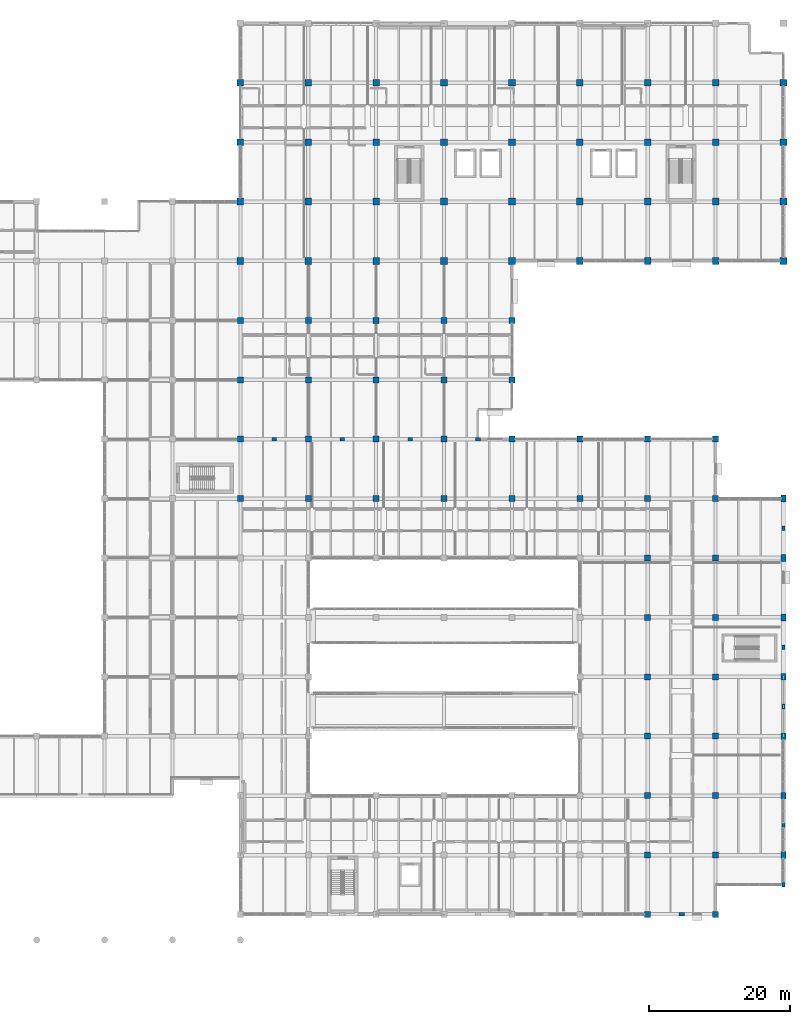
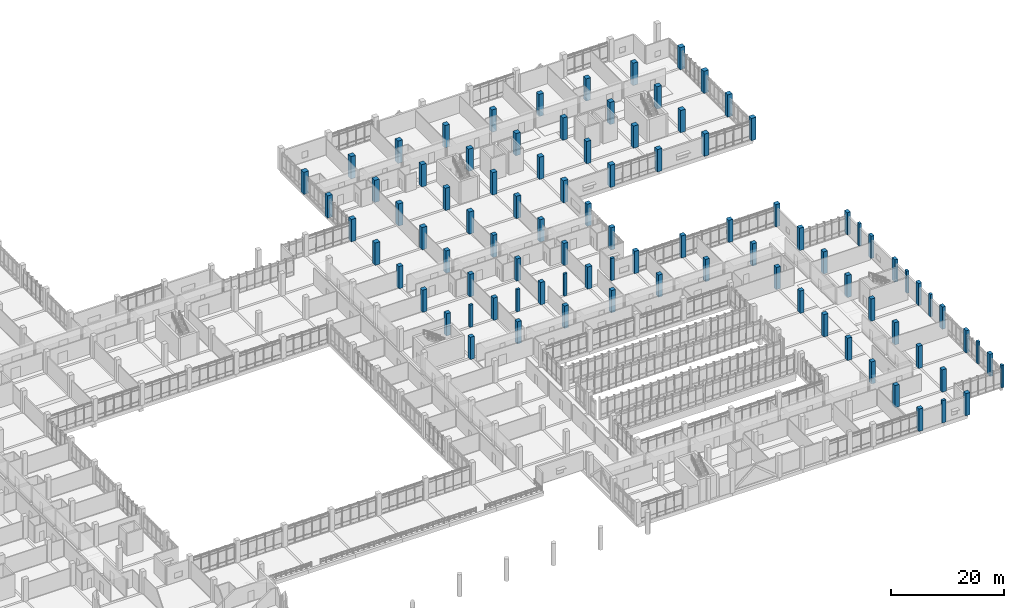
# One storey, part 6 of 152: 93 columns.
"""IFC4 building model written with IfcOpenShell, lengths in metres."""

from ifc_helpers import new_model, si_unit, direction, frame, origin, origin_2d, place, context, subcontext, project, spatial, rectangle, extrude, material, material_profile, profile_set, type_object, element, save


model = new_model("IFC4")

# Units and contexts
model_context = context("Model", 3, precision=1e-05, world=origin(), true_north=direction((0.0, 1.0)))
body_context = subcontext(model_context, "Body", "Model", "MODEL_VIEW")
ifc_project = project(units=[si_unit("LENGTHUNIT", "METRE"), si_unit("AREAUNIT", "SQUARE_METRE"), si_unit("VOLUMEUNIT", "CUBIC_METRE"), si_unit("PLANEANGLEUNIT", "RADIAN"), si_unit("MASSUNIT", "GRAM", prefix="KILO")], contexts=[model_context])

# Site, building, storey
site_placement = place(None, origin())
site = spatial("IfcSite", under=ifc_project, at=site_placement, CompositionType="ELEMENT")
building_placement = place(site_placement, origin())
building = spatial("IfcBuilding", under=site, at=building_placement, Name="Oolite Switchyard Hospital", CompositionType="ELEMENT")
storey_placement = place(building_placement, frame((0.0, 0.0, 5.10009765625)))
storey = spatial("IfcBuildingStorey", under=building, at=storey_placement, Name="L01", CompositionType="ELEMENT", Elevation=5.10009765625)

# Columns
ifc_material_1 = material(Name="Concrete C50/60", Category="concrete")
ifc_material_profile_1 = material_profile(ifc_material_1, rectangle(XDim=0.85009765625, YDim=0.85009765625, at=origin_2d()), Name="RC850X850")
ifc_profile_set_1 = profile_set([ifc_material_profile_1], Name="Concrete C50/60")
column_type_1 = type_object("IfcColumnType", Name="COL-RC850", PredefinedType="COLUMN", material=ifc_profile_set_1)
for number, where, z_axis, x_axis, name in (
    (1, (134.39990234375, 67.199951171875, 0.0), (0.0, 0.0, 1.0), (1.0, 0.0, 0.0), "L01 Column 514"),
    (2, (134.39990234375, 75.60009765625, 0.0), (0.0, 0.0, 1.0), (1.0, 0.0, 0.0), "L01 Column 515"),
    (3, (134.39990234375, 84.0, 0.0), (0.0, 0.0, 1.0), (1.0, 0.0, 0.0), "L01 Column 516"),
    (4, (134.39990234375, 92.39990234375, 0.0), (0.0, 0.0, 1.0), (1.0, 0.0, 0.0), "L01 Column 517"),
    (5, (144.0, 67.199951171875, 0.0), (0.0, 0.0, 1.0), (1.0, 0.0, 0.0), "L01 Column 530"),
    (6, (144.0, 75.60009765625, 0.0), (0.0, 0.0, 1.0), (1.0, 0.0, 0.0), "L01 Column 531"),
    (7, (144.0, 84.0, 0.0), (0.0, 0.0, 1.0), (1.0, 0.0, 0.0), "L01 Column 532"),
    (8, (144.0, 92.39990234375, 0.0), (0.0, 0.0, 1.0), (1.0, 0.0, 0.0), "L01 Column 533"),
    (9, (153.60009765625, 67.199951171875, 0.0), (0.0, 0.0, 1.0), (1.0, 0.0, 0.0), "L01 Column 548"),
    (10, (153.60009765625, 75.60009765625, 0.0), (0.0, 0.0, 1.0), (1.0, 0.0, 0.0), "L01 Column 549"),
    (11, (153.60009765625, 84.0, 0.0), (0.0, 0.0, 1.0), (1.0, 0.0, 0.0), "L01 Column 550"),
    (12, (153.60009765625, 92.39990234375, 0.0), (0.0, 0.0, 1.0), (1.0, 0.0, 0.0), "L01 Column 551"),
    (13, (163.199951171875, 67.199951171875, 0.0), (0.0, 0.0, 1.0), (1.0, 0.0, 0.0), "L01 Column 564"),
    (14, (163.199951171875, 75.60009765625, 0.0), (0.0, 0.0, 1.0), (1.0, 0.0, 0.0), "L01 Column 565"),
    (15, (163.199951171875, 84.0, 0.0), (0.0, 0.0, 1.0), (1.0, 0.0, 0.0), "L01 Column 566"),
    (16, (163.199951171875, 92.39990234375, 0.0), (0.0, 0.0, 1.0), (1.0, 0.0, 0.0), "L01 Column 567"),
    (17, (172.800048828125, 67.199951171875, 0.0), (0.0, 0.0, 1.0), (1.0, 0.0, 0.0), "L01 Column 578"),
    (18, (172.800048828125, 75.60009765625, 0.0), (0.0, 0.0, 1.0), (1.0, 0.0, 0.0), "L01 Column 579"),
    (19, (172.800048828125, 84.0, 0.0), (0.0, 0.0, 1.0), (1.0, 0.0, 0.0), "L01 Column 580"),
    (20, (172.800048828125, 92.39990234375, 0.0), (0.0, 0.0, 1.0), (1.0, 0.0, 0.0), "L01 Column 581"),
    (21, (182.39990234375, 67.199951171875, 0.0), (0.0, 0.0, 1.0), (1.0, 0.0, 0.0), "L01 Column 598"),
    (22, (182.39990234375, 75.60009765625, 0.0), (0.0, 0.0, 1.0), (1.0, 0.0, 0.0), "L01 Column 599"),
    (23, (192.0, 8.39990234375, 0.0), (0.0, 0.0, 1.0), (1.0, 0.0, 0.0), "L01 Column 605"),
    (24, (192.0, 16.800048828125, 0.0), (0.0, 0.0, 1.0), (1.0, 0.0, 0.0), "L01 Column 606"),
    (25, (192.0, 25.199951171875, 0.0), (0.0, 0.0, 1.0), (1.0, 0.0, 0.0), "L01 Column 607"),
    (26, (192.0, 33.60009765625, 0.0), (0.0, 0.0, 1.0), (1.0, 0.0, 0.0), "L01 Column 608"),
    (27, (192.0, 42.0, 0.0), (0.0, 0.0, 1.0), (1.0, 0.0, 0.0), "L01 Column 609"),
    (28, (192.0, 50.39990234375, 0.0), (0.0, 0.0, 1.0), (1.0, 0.0, 0.0), "L01 Column 610"),
    (29, (192.0, 58.800048828125, 0.0), (0.0, 0.0, 1.0), (1.0, 0.0, 0.0), "L01 Column 611"),
    (30, (192.0, 67.199951171875, 0.0), (0.0, 0.0, 1.0), (1.0, 0.0, 0.0), "L01 Column 612"),
    (31, (192.0, 75.60009765625, 0.0), (0.0, 0.0, 1.0), (1.0, 0.0, 0.0), "L01 Column 613"),
    (32, (201.60009765625, 8.39990234375, 0.0), (0.0, 0.0, 1.0), (1.0, 0.0, 0.0), "L01 Column 619"),
    (33, (201.60009765625, 16.800048828125, 0.0), (0.0, 0.0, 1.0), (1.0, 0.0, 0.0), "L01 Column 620"),
    (34, (201.60009765625, 25.199951171875, 0.0), (0.0, 0.0, 1.0), (1.0, 0.0, 0.0), "L01 Column 621"),
    (35, (201.60009765625, 33.60009765625, 0.0), (0.0, 0.0, 1.0), (1.0, 0.0, 0.0), "L01 Column 622"),
    (36, (201.60009765625, 42.0, 0.0), (0.0, 0.0, 1.0), (1.0, 0.0, 0.0), "L01 Column 623"),
    (37, (201.60009765625, 50.39990234375, 0.0), (0.0, 0.0, 1.0), (1.0, 0.0, 0.0), "L01 Column 624"),
    (38, (201.60009765625, 58.800048828125, 0.0), (0.0, 0.0, 1.0), (1.0, 0.0, 0.0), "L01 Column 625"),
    (39, (201.60009765625, 67.199951171875, 0.0), (0.0, 0.0, 1.0), (1.0, 0.0, 0.0), "L01 Column 626"),
    (40, (201.60009765625, 75.60009765625, 0.0), (0.0, 0.0, 1.0), (1.0, 0.0, 0.0), "L01 Column 627"),
):
    element("IfcColumn", number, at=place(storey_placement, frame(where, z_axis=z_axis, x_axis=x_axis)), inside=storey, type_object=column_type_1, Name=name, PredefinedType="COLUMN", context=body_context, shape_type="SweptSolid", body=[
        extrude(rectangle(XDim=0.85009765625, YDim=0.85009765625, at=origin_2d()), origin(), (0.0, 0.0, 1.0), 4.7998046875),
    ])
ifc_material_profile_2 = material_profile(ifc_material_1, rectangle(XDim=0.949951171875, YDim=0.949951171875, at=origin_2d()), Name="RC950X950")
ifc_profile_set_2 = profile_set([ifc_material_profile_2], Name="Concrete C50/60")
column_type_2 = type_object("IfcColumnType", Name="COL-RC950", PredefinedType="COLUMN", material=ifc_profile_set_2)
for number, where, z_axis, x_axis, name in (
    (41, (134.39990234375, 100.800048828125, 0.0), (0.0, 0.0, 1.0), (1.0, 0.0, 0.0), "L01 Column 518"),
    (42, (134.39990234375, 109.199951171875, 0.0), (0.0, 0.0, 1.0), (1.0, 0.0, 0.0), "L01 Column 519"),
    (43, (134.39990234375, 117.60009765625, 0.0), (0.0, 0.0, 1.0), (1.0, 0.0, 0.0), "L01 Column 520"),
    (44, (134.39990234375, 126.0, 0.0), (0.0, 0.0, 1.0), (1.0, 0.0, 0.0), "L01 Column 521"),
    (45, (144.0, 100.800048828125, 0.0), (0.0, 0.0, 1.0), (1.0, 0.0, 0.0), "L01 Column 534"),
    (46, (144.0, 109.199951171875, 0.0), (0.0, 0.0, 1.0), (1.0, 0.0, 0.0), "L01 Column 535"),
    (47, (144.0, 117.60009765625, 0.0), (0.0, 0.0, 1.0), (1.0, 0.0, 0.0), "L01 Column 536"),
    (48, (144.0, 126.0, 0.0), (0.0, 0.0, 1.0), (1.0, 0.0, 0.0), "L01 Column 537"),
    (49, (153.60009765625, 100.800048828125, 0.0), (0.0, 0.0, 1.0), (1.0, 0.0, 0.0), "L01 Column 552"),
    (50, (153.60009765625, 109.199951171875, 0.0), (0.0, 0.0, 1.0), (1.0, 0.0, 0.0), "L01 Column 553"),
    (51, (153.60009765625, 117.60009765625, 0.0), (0.0, 0.0, 1.0), (1.0, 0.0, 0.0), "L01 Column 554"),
    (52, (153.60009765625, 126.0, 0.0), (0.0, 0.0, 1.0), (1.0, 0.0, 0.0), "L01 Column 555"),
    (53, (163.199951171875, 100.800048828125, 0.0), (0.0, 0.0, 1.0), (1.0, 0.0, 0.0), "L01 Column 568"),
    (54, (163.199951171875, 109.199951171875, 0.0), (0.0, 0.0, 1.0), (1.0, 0.0, 0.0), "L01 Column 569"),
    (55, (163.199951171875, 117.60009765625, 0.0), (0.0, 0.0, 1.0), (1.0, 0.0, 0.0), "L01 Column 570"),
    (56, (163.199951171875, 126.0, 0.0), (0.0, 0.0, 1.0), (1.0, 0.0, 0.0), "L01 Column 571"),
    (57, (172.800048828125, 100.800048828125, 0.0), (0.0, 0.0, 1.0), (1.0, 0.0, 0.0), "L01 Column 582"),
    (58, (172.800048828125, 109.199951171875, 0.0), (0.0, 0.0, 1.0), (1.0, 0.0, 0.0), "L01 Column 583"),
    (59, (172.800048828125, 117.60009765625, 0.0), (0.0, 0.0, 1.0), (1.0, 0.0, 0.0), "L01 Column 584"),
    (60, (172.800048828125, 126.0, 0.0), (0.0, 0.0, 1.0), (1.0, 0.0, 0.0), "L01 Column 585"),
    (61, (182.39990234375, 100.800048828125, 0.0), (0.0, 0.0, 1.0), (1.0, 0.0, 0.0), "L01 Column 600"),
    (62, (182.39990234375, 109.199951171875, 0.0), (0.0, 0.0, 1.0), (1.0, 0.0, 0.0), "L01 Column 601"),
    (63, (182.39990234375, 117.60009765625, 0.0), (0.0, 0.0, 1.0), (1.0, 0.0, 0.0), "L01 Column 602"),
    (64, (182.39990234375, 126.0, 0.0), (0.0, 0.0, 1.0), (1.0, 0.0, 0.0), "L01 Column 603"),
    (65, (192.0, 100.800048828125, 0.0), (0.0, 0.0, 1.0), (1.0, 0.0, 0.0), "L01 Column 614"),
    (66, (192.0, 109.199951171875, 0.0), (0.0, 0.0, 1.0), (1.0, 0.0, 0.0), "L01 Column 615"),
    (67, (192.0, 117.60009765625, 0.0), (0.0, 0.0, 1.0), (1.0, 0.0, 0.0), "L01 Column 616"),
    (68, (192.0, 126.0, 0.0), (0.0, 0.0, 1.0), (1.0, 0.0, 0.0), "L01 Column 617"),
    (69, (201.60009765625, 100.800048828125, 0.0), (0.0, 0.0, 1.0), (1.0, 0.0, 0.0), "L01 Column 628"),
    (70, (201.60009765625, 109.199951171875, 0.0), (0.0, 0.0, 1.0), (1.0, 0.0, 0.0), "L01 Column 629"),
    (71, (201.60009765625, 117.60009765625, 0.0), (0.0, 0.0, 1.0), (1.0, 0.0, 0.0), "L01 Column 630"),
    (72, (201.60009765625, 126.0, 0.0), (0.0, 0.0, 1.0), (1.0, 0.0, 0.0), "L01 Column 631"),
    (73, (211.199951171875, 100.800048828125, 0.0), (0.0, 0.0, 1.0), (1.0, 0.0, 0.0), "L01 Column 640"),
    (74, (211.199951171875, 109.199951171875, 0.0), (0.0, 0.0, 1.0), (1.0, 0.0, 0.0), "L01 Column 641"),
    (75, (211.199951171875, 117.60009765625, 0.0), (0.0, 0.0, 1.0), (1.0, 0.0, 0.0), "L01 Column 642"),
    (76, (211.199951171875, 126.0, 0.0), (0.0, 0.0, 1.0), (1.0, 0.0, 0.0), "L01 Column 643"),
):
    element("IfcColumn", number, at=place(storey_placement, frame(where, z_axis=z_axis, x_axis=x_axis)), inside=storey, type_object=column_type_2, Name=name, PredefinedType="COLUMN", context=body_context, shape_type="SweptSolid", body=[
        extrude(rectangle(XDim=0.949951171875, YDim=0.949951171875, at=origin_2d()), origin(), (0.0, 0.0, 1.0), 4.7998046875),
    ])
ifc_material_profile_3 = material_profile(ifc_material_1, rectangle(XDim=0.949951171875, YDim=0.64990234375, at=origin_2d()), Name="RC950X650")
ifc_profile_set_3 = profile_set([ifc_material_profile_3], Name="Concrete C50/60")
column_type_3 = type_object("IfcColumnType", Name="COL-RCR950", PredefinedType="COLUMN", material=ifc_profile_set_3)
for number, where, z_axis, x_axis, name in (
    (77, (211.199951171875, 16.800048828125, 0.0), (0.0, 0.0, 1.0), (0.0, 1.0, 0.0), "L01 Column 633"),
    (78, (211.199951171875, 25.199951171875, 0.0), (0.0, 0.0, 1.0), (0.0, 1.0, 0.0), "L01 Column 634"),
    (79, (211.199951171875, 33.60009765625, 0.0), (0.0, 0.0, 1.0), (0.0, 1.0, 0.0), "L01 Column 635"),
    (80, (211.199951171875, 42.0, 0.0), (0.0, 0.0, 1.0), (0.0, 1.0, 0.0), "L01 Column 636"),
    (81, (211.199951171875, 50.39990234375, 0.0), (0.0, 0.0, 1.0), (0.0, 1.0, 0.0), "L01 Column 637"),
    (82, (211.199951171875, 58.800048828125, 0.0), (0.0, 0.0, 1.0), (0.0, 1.0, 0.0), "L01 Column 638"),
    (83, (211.199951171875, 67.199951171875, 0.0), (0.0, 0.0, 1.0), (0.0, 1.0, 0.0), "L01 Column 639"),
):
    element("IfcColumn", number, at=place(storey_placement, frame(where, z_axis=z_axis, x_axis=x_axis)), inside=storey, type_object=column_type_3, Name=name, PredefinedType="COLUMN", context=body_context, shape_type="SweptSolid", body=[
        extrude(rectangle(XDim=0.949951171875, YDim=0.64990234375, at=origin_2d()), origin(), (0.0, 0.0, 1.0), 4.7998046875),
    ])
ifc_material_2 = material(Name="Precast concrete C40/50", Category="concrete")
ifc_material_profile_4 = material_profile(ifc_material_2, rectangle(XDim=0.449951171875, YDim=0.64990234375, at=origin_2d()), Name="PIL450X650")
ifc_profile_set_4 = profile_set([ifc_material_profile_4], Name="Precast concrete C40/50")
column_type_4 = type_object("IfcColumnType", Name="PIL-450X650", PredefinedType="PILASTER", material=ifc_profile_set_4)
for number, where, z_axis, x_axis, name in (
    (84, (211.199951171875, 12.60009765625, 0.0), (0.0, 0.0, 1.0), (1.0, 0.0, 0.0), "L01 Classical Pilaster 22"),
    (85, (211.199951171875, 21.0, 0.0), (0.0, 0.0, 1.0), (1.0, 0.0, 0.0), "L01 Classical Pilaster 23"),
    (86, (211.199951171875, 37.800048828125, 0.0), (0.0, 0.0, 1.0), (1.0, 0.0, 0.0), "L01 Classical Pilaster 24"),
    (87, (211.199951171875, 46.199951171875, 0.0), (0.0, 0.0, 1.0), (1.0, 0.0, 0.0), "L01 Classical Pilaster 25"),
    (88, (211.199951171875, 63.0, 0.0), (0.0, 0.0, 1.0), (1.0, 0.0, 0.0), "L01 Classical Pilaster 26"),
):
    element("IfcColumn", number, at=place(storey_placement, frame(where, z_axis=z_axis, x_axis=x_axis)), inside=storey, type_object=column_type_4, Name=name, PredefinedType="PILASTER", context=body_context, shape_type="SweptSolid", body=[
        extrude(rectangle(XDim=0.449951171875, YDim=0.64990234375, at=origin_2d()), origin(), (0.0, 0.0, 1.0), 4.7998046875),
    ])
ifc_material_profile_5 = material_profile(ifc_material_2, rectangle(XDim=0.64990234375, YDim=0.449951171875, at=origin_2d()), Name="PIL650X450")
ifc_profile_set_5 = profile_set([ifc_material_profile_5], Name="Precast concrete C40/50")
column_type_5 = type_object("IfcColumnType", Name="PIL-650X450", PredefinedType="PILASTER", material=ifc_profile_set_5)
for number, where, z_axis, x_axis, name in (
    (89, (139.199951171875, 75.60009765625, 0.0), (0.0, 0.0, 1.0), (1.0, 0.0, 0.0), "L01 Classical Pilaster 29"),
    (90, (148.800048828125, 75.60009765625, 0.0), (0.0, 0.0, 1.0), (1.0, 0.0, 0.0), "L01 Classical Pilaster 30"),
    (91, (158.39990234375, 75.60009765625, 0.0), (0.0, 0.0, 1.0), (1.0, 0.0, 0.0), "L01 Classical Pilaster 31"),
    (92, (168.0, 75.60009765625, 0.0), (0.0, 0.0, 1.0), (1.0, 0.0, 0.0), "L01 Classical Pilaster 32"),
):
    element("IfcColumn", number, at=place(storey_placement, frame(where, z_axis=z_axis, x_axis=x_axis)), inside=storey, type_object=column_type_5, Name=name, PredefinedType="PILASTER", context=body_context, shape_type="SweptSolid", body=[
        extrude(rectangle(XDim=0.64990234375, YDim=0.449951171875, at=origin_2d()), origin(), (0.0, 0.0, 1.0), 4.7998046875),
    ])
ifc_material_profile_6 = material_profile(ifc_material_2, rectangle(XDim=0.75, YDim=0.5, at=origin_2d()), Name="PIL750X500")
ifc_profile_set_6 = profile_set([ifc_material_profile_6], Name="Precast concrete C40/50")
column_type_6 = type_object("IfcColumnType", Name="PIL-750X500", PredefinedType="PILASTER", material=ifc_profile_set_6)
column_placement = place(storey_placement, frame((196.800048828125, 8.39990234375, 0.0), z_axis=(0.0, 0.0, 1.0), x_axis=(1.0, 0.0, 0.0)))
element("IfcColumn", 93, at=column_placement, inside=storey, type_object=column_type_6, Name="L01 Classical Pilaster 21", PredefinedType="PILASTER", context=body_context, shape_type="SweptSolid", body=[
    extrude(rectangle(XDim=0.75, YDim=0.5, at=origin_2d()), origin(), (0.0, 0.0, 1.0), 4.7998046875),
])

save(model, "model.ifc")
